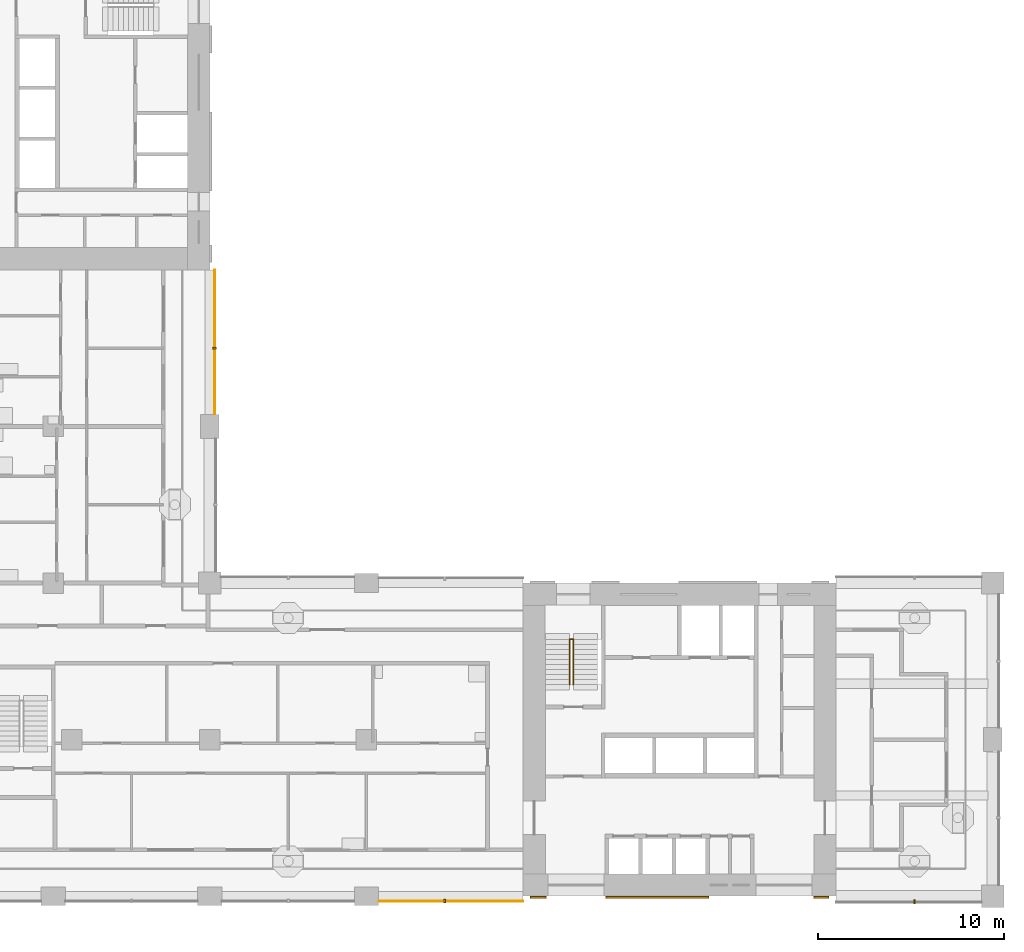
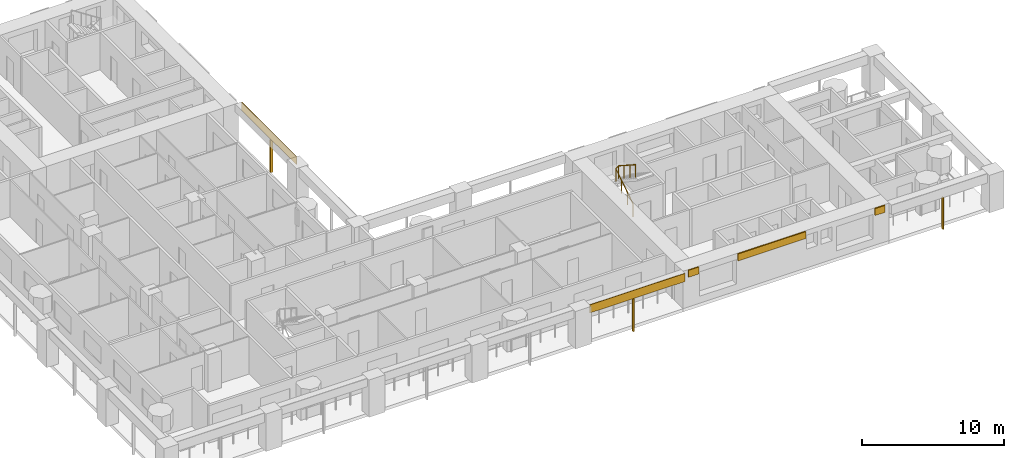
# One storey, part 11 of 18: 8 shading devices, 1 railing.
"""IFC4 building model written with IfcOpenShell, lengths in metres."""

from ifc_helpers import new_model, si_unit, direction, frame, origin, origin_2d, place, context, subcontext, project, spatial, rectangle, circle, extrude, material, layer, layer_set, material_profile, profile_set, type_object, element, save


model = new_model("IFC4")

# Units and contexts
model_context = context("Model", 3, precision=1e-05, world=origin(), true_north=direction((0.0, 1.0)))
body_context = subcontext(model_context, "Body", "Model", "MODEL_VIEW")
ifc_project = project(units=[si_unit("LENGTHUNIT", "METRE"), si_unit("AREAUNIT", "SQUARE_METRE"), si_unit("VOLUMEUNIT", "CUBIC_METRE"), si_unit("PLANEANGLEUNIT", "RADIAN"), si_unit("MASSUNIT", "GRAM", prefix="KILO")], contexts=[model_context])

# Site, building, storey
site_placement = place(None, origin())
site = spatial("IfcSite", under=ifc_project, at=site_placement, CompositionType="ELEMENT")
building_placement = place(site_placement, origin())
building = spatial("IfcBuilding", under=site, at=building_placement, Name="Vermilion Gate Residences", CompositionType="ELEMENT")
storey_placement = place(building_placement, frame((0.0, 0.0, 88.199951171875)))
storey = spatial("IfcBuildingStorey", under=building, at=storey_placement, Name="L21", CompositionType="ELEMENT", Elevation=88.199951171875)

# Shading devices
ifc_material_1 = material(Name="Perforated terracotta", Category="masonry")
ifc_layer_1 = layer(ifc_material_1, 0.0400390625)
ifc_layer_set_1 = layer_set([ifc_layer_1], Name="PERFORATED TERRACOTTA SCREEN 40")
shading_device_type_1 = type_object("IfcShadingDeviceType", Name="PERFORATED TERRACOTTA SCREEN 40", PredefinedType="SHUTTER", material=ifc_layer_set_1)
for number, where, z_axis, x_axis, name in (
    (1, (38.125, 8.1298828125, 2.52001953125), (0.0, 0.0, 1.0), (1.0, 0.0, 0.0), "SCREEN"),
    (2, (25.469970703125, 38.125, 2.52001953125), (0.0, 0.0, 1.0), (0.0, 1.0, 0.0), "SCREEN"),
):
    element("IfcShadingDevice", number, at=place(storey_placement, frame(where, z_axis=z_axis, x_axis=x_axis)), inside=storey, type_object=shading_device_type_1, Name=name, PredefinedType="SHUTTER", context=body_context, shape_type="SweptSolid", body=[
        extrude(rectangle(XDim=7.75, YDim=0.0400390625, at=origin_2d()), origin(), (0.0, 0.0, 1.0), 0.699951171875),
    ])

# Railing
ifc_material_2 = material(Name="Steel S355", Category="steel")
railing_type = type_object("IfcRailingType", Name="STAIR GUARD 1100 STEEL", PredefinedType="GUARDRAIL", material=ifc_material_2)
railing_placement = place(storey_placement, frame((44.5, 19.75, 0.175048828125)))
element("IfcRailing", 3, at=railing_placement, inside=storey, type_object=railing_type, Name="Stair well guard STA1-21", PredefinedType="GUARDRAIL", context=body_context, shape_type="SweptSolid", body=[
    extrude(circle(Radius=0.02392578125, at=origin_2d()), frame((0.0, 0.0, 1.076171875), z_axis=(0.0, 0.839153699163, 0.543894354798), x_axis=(-1.0, 0.0, 0.0)), (0.0, 0.0, 1.0), 2.895751953125),
    extrude(circle(Radius=0.02392578125, at=origin_2d()), frame((0.0, 2.429931640625, 2.65087890625), z_axis=(0.752405939678, 0.0, 0.658699705433), x_axis=(0.0, 1.0, 0.0)), (0.0, 0.0, 1.0), 0.265869140625),
    extrude(circle(Radius=0.02392578125, at=origin_2d()), frame((0.199951171875, 2.429931640625, 2.826171875), z_axis=(0.0, -0.839153699163, 0.543894354798), x_axis=(1.0, 0.0, 0.0)), (0.0, 0.0, 1.0), 2.895751953125),
    extrude(circle(Radius=0.02099609375, at=origin_2d()), origin(), (0.0, 0.0, 1.0), 1.052001953125),
    extrude(circle(Radius=0.02099609375, at=origin_2d()), frame((0.0, 0.81005859375, 0.52490234375)), (0.0, 0.0, 1.0), 1.052001953125),
    extrude(circle(Radius=0.02099609375, at=origin_2d()), frame((0.0, 1.619873046875, 1.050048828125)), (0.0, 0.0, 1.0), 1.052001953125),
    extrude(circle(Radius=0.02099609375, at=origin_2d()), frame((0.0, 2.429931640625, 1.574951171875)), (0.0, 0.0, 1.0), 1.052001953125),
    extrude(circle(Radius=0.02099609375, at=origin_2d()), frame((0.199951171875, 2.429931640625, 1.75)), (0.0, 0.0, 1.0), 1.052001953125),
    extrude(circle(Radius=0.02099609375, at=origin_2d()), frame((0.199951171875, 1.619873046875, 2.27490234375)), (0.0, 0.0, 1.0), 1.052001953125),
    extrude(circle(Radius=0.02099609375, at=origin_2d()), frame((0.199951171875, 0.81005859375, 2.800048828125)), (0.0, 0.0, 1.0), 1.052001953125),
    extrude(circle(Radius=0.02099609375, at=origin_2d()), frame((0.199951171875, 0.0, 3.324951171875)), (0.0, 0.0, 1.0), 1.052001953125),
])

# Shading devices
ifc_material_3 = material(Name="Extruded terracotta", Category="masonry")
ifc_material_profile = material_profile(ifc_material_3, rectangle(XDim=0.199951171875, YDim=0.10009765625, at=origin_2d()), Name="BAGUETTE 100 X 200")
ifc_profile_set = profile_set([ifc_material_profile], Name="Extruded terracotta")
shading_device_type_2 = type_object("IfcShadingDeviceType", Name="TERRACOTTA BAGUETTE 100 X 200", PredefinedType="JALOUSIE", material=ifc_profile_set)
shading_device_1_placement = place(storey_placement, frame((37.800048828125, 8.14990234375, -0.280029296875), z_axis=(0.0, 0.0, 1.0), x_axis=(0.0, 1.0, 0.0)))
element("IfcShadingDevice", 4, at=shading_device_1_placement, inside=storey, type_object=shading_device_type_2, Name="BAGUETTE", PredefinedType="JALOUSIE", context=body_context, shape_type="SweptSolid", body=[
    extrude(rectangle(XDim=0.199951171875, YDim=0.10009765625, at=origin_2d()), origin(), (0.0, 0.0, 1.0), 2.800048828125),
])
shading_device_2_placement = place(storey_placement, frame((63.0, 8.10009765625, -0.280029296875), z_axis=(0.0, 0.0, 1.0), x_axis=(0.0, 1.0, 0.0)))
element("IfcShadingDevice", 5, at=shading_device_2_placement, inside=storey, type_object=shading_device_type_2, Name="BAGUETTE", PredefinedType="JALOUSIE", context=body_context, shape_type="SweptSolid", body=[
    extrude(rectangle(XDim=0.199951171875, YDim=0.10009765625, at=origin_2d()), origin(), (0.0, 0.0, 1.0), 2.7001953125),
])
shading_device_3_placement = place(storey_placement, frame((25.449951171875, 37.800048828125, -0.280029296875), z_axis=(0.0, 0.0, 1.0), x_axis=(-1.0, 0.0, 0.0)))
element("IfcShadingDevice", 6, at=shading_device_3_placement, inside=storey, type_object=shading_device_type_2, Name="BAGUETTE", PredefinedType="JALOUSIE", context=body_context, shape_type="SweptSolid", body=[
    extrude(rectangle(XDim=0.199951171875, YDim=0.10009765625, at=origin_2d()), origin(), (0.0, 0.0, 1.0), 2.800048828125),
])
ifc_material_4 = material(Name="Extruded terracotta", Category="masonry")
ifc_layer_2 = layer(ifc_material_4, 0.10009765625)
ifc_layer_set_2 = layer_set([ifc_layer_2], Name="TERRACOTTA SPANDREL BAND 600 X 100")
shading_device_type_3 = type_object("IfcShadingDeviceType", Name="TERRACOTTA SPANDREL BAND 600 X 100", PredefinedType="USERDEFINED", material=ifc_layer_set_2)
shading_device_4_placement = place(storey_placement, frame((42.824951171875, 8.35009765625, 2.6201171875), z_axis=(0.0, 0.0, 1.0), x_axis=(1.0, 0.0, 0.0)))
element("IfcShadingDevice", 7, at=shading_device_4_placement, inside=storey, type_object=shading_device_type_3, Name="SPANDREL BAND", ObjectType="BAND", PredefinedType="USERDEFINED", context=body_context, shape_type="SweptSolid", body=[
    extrude(rectangle(XDim=0.85009765625, YDim=0.10009765625, at=origin_2d()), origin(), (0.0, 0.0, 1.0), 0.60009765625),
])
shading_device_5_placement = place(storey_placement, frame((49.199951171875, 8.35009765625, 2.6201171875), z_axis=(0.0, 0.0, 1.0), x_axis=(1.0, 0.0, 0.0)))
element("IfcShadingDevice", 8, at=shading_device_5_placement, inside=storey, type_object=shading_device_type_3, Name="SPANDREL BAND", ObjectType="BAND", PredefinedType="USERDEFINED", context=body_context, shape_type="SweptSolid", body=[
    extrude(rectangle(XDim=5.5, YDim=0.10009765625, at=origin_2d()), origin(), (0.0, 0.0, 1.0), 0.60009765625),
])
shading_device_6_placement = place(storey_placement, frame((58.0, 8.35009765625, 2.6201171875), z_axis=(0.0, 0.0, 1.0), x_axis=(1.0, 0.0, 0.0)))
element("IfcShadingDevice", 9, at=shading_device_6_placement, inside=storey, type_object=shading_device_type_3, Name="SPANDREL BAND", ObjectType="BAND", PredefinedType="USERDEFINED", context=body_context, shape_type="SweptSolid", body=[
    extrude(rectangle(XDim=0.800048828125, YDim=0.10009765625, at=origin_2d()), origin(), (0.0, 0.0, 1.0), 0.60009765625),
])

save(model, "model.ifc")
